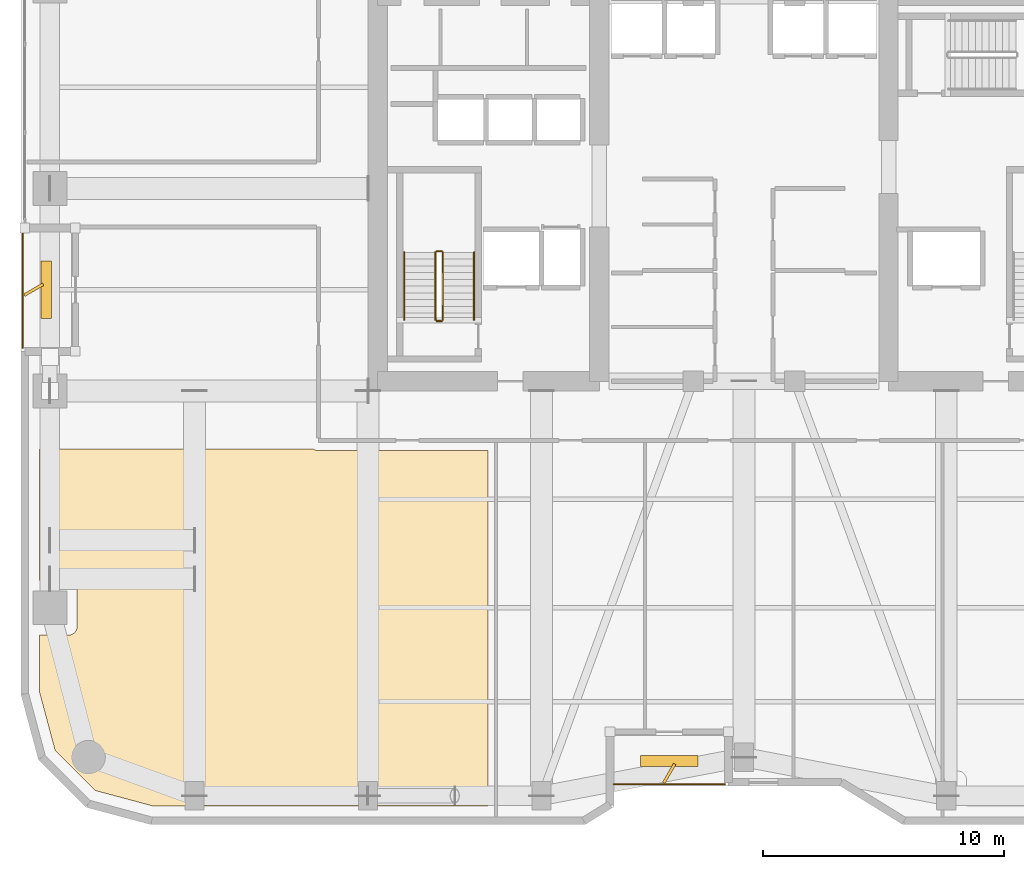
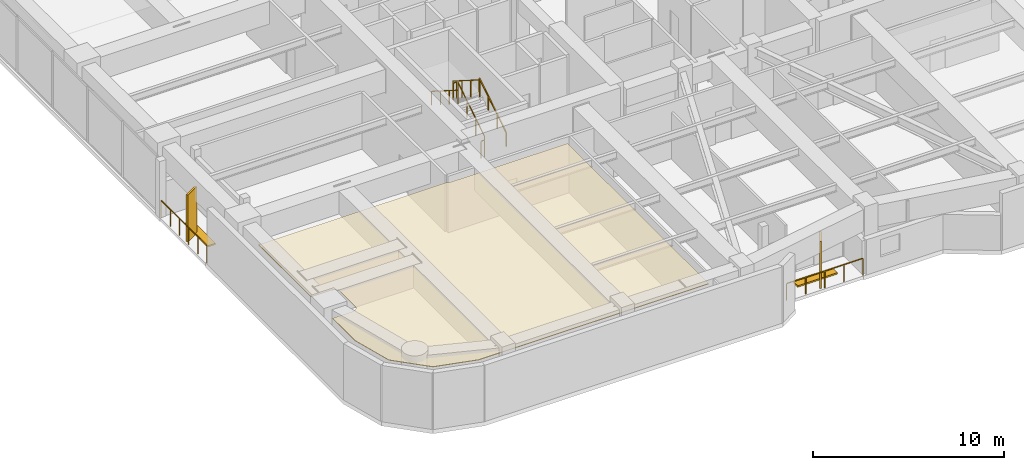
# One storey, part 23 of 25: 8 railings, 4 shading devices, 1 covering.
"""IFC4 building model written with IfcOpenShell, lengths in metres."""

from ifc_helpers import new_model, si_unit, direction, frame, origin, origin_2d, place, context, subcontext, project, spatial, polyline, rectangle, outline, extrude, material, layer, layer_set, type_object, element, save


model = new_model("IFC4")

# Units and contexts
model_context = context("Model", 3, precision=1e-05, world=origin(), true_north=direction((0.0, 1.0)))
body_context = subcontext(model_context, "Body", "Model", "MODEL_VIEW")
ifc_project = project(units=[si_unit("LENGTHUNIT", "METRE"), si_unit("AREAUNIT", "SQUARE_METRE"), si_unit("VOLUMEUNIT", "CUBIC_METRE"), si_unit("PLANEANGLEUNIT", "RADIAN"), si_unit("MASSUNIT", "GRAM", prefix="KILO")], contexts=[model_context])

# Site, building, storey
site_placement = place(None, origin())
site = spatial("IfcSite", under=ifc_project, at=site_placement, CompositionType="ELEMENT")
building_placement = place(site_placement, origin())
building = spatial("IfcBuilding", under=site, at=building_placement, Name="Kiyonajd Concourse Tower", CompositionType="ELEMENT")
storey_placement = place(building_placement, frame((0.0, 0.0, 141.60009765625)))
storey = spatial("IfcBuildingStorey", under=building, at=storey_placement, Name="L36", CompositionType="ELEMENT", Elevation=141.60009765625)

# Covering
ifc_material_1 = material(Name="Natural Oak Acoustic Timber Veneer", Category="wood")
ifc_layer = layer(ifc_material_1, 0.0400390625)
ifc_layer_set = layer_set([ifc_layer], Name="Natural Oak Acoustic Timber Veneer")
covering_type = type_object("IfcCoveringType", Name="CV-CLG-ACST", PredefinedType="CEILING", material=ifc_layer_set)
covering_placement = place(storey_placement, frame((0.0, 0.0, 3.419921875)))
element("IfcCovering", 1, at=covering_placement, inside=storey, type_object=covering_type, Name="L36-39 Room Acoustic Ceiling", PredefinedType="CEILING", context=body_context, shape_type="SweptSolid", body=[
    extrude(outline(polyline([(19.4140625, 12.697998046875), (18.77001953125, 15.10107421875), (18.77001953125, 17.469970703125), (20.013916015625, 17.471923828125), (20.08203125, 17.485107421875), (20.14501953125, 17.510986328125), (20.201904296875, 17.549072265625), (20.2509765625, 17.597900390625), (20.2890625, 17.655029296875), (20.31494140625, 17.718017578125), (20.330078125, 17.820068359375), (20.327880859375, 19.4140625), (20.31494140625, 19.48193359375), (20.2890625, 19.544921875), (20.22705078125, 19.626953125), (20.14501953125, 19.68896484375), (20.048095703125, 19.722900390625), (19.97998046875, 19.72998046875), (18.77001953125, 19.72998046875), (18.77001953125, 25.199951171875), (30.10205078125, 25.199951171875), (30.156982421875, 25.166015625), (30.219970703125, 25.139892578125), (30.35009765625, 25.1201171875), (37.3701171875, 25.1201171875), (37.3701171875, 10.3701171875), (23.5009765625, 10.3701171875), (21.097900390625, 11.013916015625), (19.4140625, 12.697998046875)])), origin(), (0.0, 0.0, 1.0), 0.0400390625),
])

# Railings
ifc_material_2 = material(Name="Thermally Broken Anodised Aluminium", Category="aluminium")
railing_type_1 = type_object("IfcRailingType", Name="RL-GRD-LOG", PredefinedType="GUARDRAIL", material=ifc_material_2)
railing_1_placement = place(storey_placement, frame((42.60009765625, 11.280029296875, 0.0)))
element("IfcRailing", 2, at=railing_1_placement, inside=storey, type_object=railing_type_1, Name="L36 Engawa Loggia Perimeter Guard LOG-S", PredefinedType="GUARDRAIL", context=body_context, shape_type="SweptSolid", body=[
    extrude(rectangle(XDim=0.048095703125, YDim=0.048095703125, at=origin_2d()), frame((0.0, 0.0, 1.076171875), z_axis=(1.0, 0.0, 0.0), x_axis=(0.0, 1.0, 0.0)), (0.0, 0.0, 1.0), 4.599853515625),
    extrude(rectangle(XDim=0.0419921875, YDim=0.0419921875, at=origin_2d()), origin(), (0.0, 0.0, 1.0), 1.052001953125),
    extrude(rectangle(XDim=0.0419921875, YDim=0.0419921875, at=origin_2d()), frame((1.14990234375, 0.0, 0.0)), (0.0, 0.0, 1.0), 1.052001953125),
    extrude(rectangle(XDim=0.0419921875, YDim=0.0419921875, at=origin_2d()), frame((2.2998046875, 0.0, 0.0)), (0.0, 0.0, 1.0), 1.052001953125),
    extrude(rectangle(XDim=0.0419921875, YDim=0.0419921875, at=origin_2d()), frame((3.449951171875, 0.0, 0.0)), (0.0, 0.0, 1.0), 1.052001953125),
    extrude(rectangle(XDim=0.0419921875, YDim=0.0419921875, at=origin_2d()), frame((4.599853515625, 0.0, 0.0)), (0.0, 0.0, 1.0), 1.052001953125),
])
railing_2_placement = place(storey_placement, frame((18.080078125, 34.199951171875, 0.0)))
element("IfcRailing", 3, at=railing_2_placement, inside=storey, type_object=railing_type_1, Name="L36 Engawa Loggia Perimeter Guard LOG-W", PredefinedType="GUARDRAIL", context=body_context, shape_type="SweptSolid", body=[
    extrude(rectangle(XDim=0.048095703125, YDim=0.048095703125, at=origin_2d()), frame((0.0, 0.0, 1.076171875), z_axis=(0.0, -1.0, 0.0), x_axis=(1.0, 0.0, 0.0)), (0.0, 0.0, 1.0), 4.800048828125),
    extrude(rectangle(XDim=0.0419921875, YDim=0.0419921875, at=origin_2d()), origin(), (0.0, 0.0, 1.0), 1.052001953125),
    extrude(rectangle(XDim=0.0419921875, YDim=0.0419921875, at=origin_2d()), frame((0.0, -0.9599609375, 0.0)), (0.0, 0.0, 1.0), 1.052001953125),
    extrude(rectangle(XDim=0.0419921875, YDim=0.0419921875, at=origin_2d()), frame((0.0, -1.919921875, 0.0)), (0.0, 0.0, 1.0), 1.052001953125),
    extrude(rectangle(XDim=0.0419921875, YDim=0.0419921875, at=origin_2d()), frame((0.0, -2.880126953125, 0.0)), (0.0, 0.0, 1.0), 1.052001953125),
    extrude(rectangle(XDim=0.0419921875, YDim=0.0419921875, at=origin_2d()), frame((0.0, -3.840087890625, 0.0)), (0.0, 0.0, 1.0), 1.052001953125),
    extrude(rectangle(XDim=0.0419921875, YDim=0.0419921875, at=origin_2d()), frame((0.0, -4.800048828125, 0.0)), (0.0, 0.0, 1.0), 1.052001953125),
])
ifc_material_3 = material(Name="Steel ASTM A500 Grade C", Category="steel")
railing_type_2 = type_object("IfcRailingType", Name="RL-GRD-STR", PredefinedType="GUARDRAIL", material=ifc_material_3)
railing_3_placement = place(storey_placement, frame((35.5, 30.550048828125, 0.17724609375)))
element("IfcRailing", 4, at=railing_3_placement, inside=storey, type_object=railing_type_2, Name="L36 ST1 stair guard 1", PredefinedType="GUARDRAIL", context=body_context, shape_type="SweptSolid", body=[
    extrude(rectangle(XDim=0.048095703125, YDim=0.048095703125, at=origin_2d()), frame((0.0, 0.0, 1.076171875), z_axis=(0.0, 0.844908973607, 0.534910110503), x_axis=(-1.0, 0.0, 0.0)), (0.0, 0.0, 1.0), 3.31396484375),
    extrude(rectangle(XDim=0.0419921875, YDim=0.0419921875, at=origin_2d()), origin(), (0.0, 0.0, 1.0), 1.052001953125),
    extrude(rectangle(XDim=0.0419921875, YDim=0.0419921875, at=origin_2d()), frame((0.0, 0.933349609375, 0.5908203125)), (0.0, 0.0, 1.0), 1.052001953125),
    extrude(rectangle(XDim=0.0419921875, YDim=0.0419921875, at=origin_2d()), frame((0.0, 1.86669921875, 1.181884765625)), (0.0, 0.0, 1.0), 1.052001953125),
    extrude(rectangle(XDim=0.0419921875, YDim=0.0419921875, at=origin_2d()), frame((0.0, 2.800048828125, 1.772705078125)), (0.0, 0.0, 1.0), 1.052001953125),
])
railing_4_placement = place(storey_placement, frame((35.449951171875, 33.39990234375, 1.949951171875)))
element("IfcRailing", 5, at=railing_4_placement, inside=storey, type_object=railing_type_2, Name="L36 ST1 stair guard 2", PredefinedType="GUARDRAIL", context=body_context, shape_type="SweptSolid", body=[
    extrude(rectangle(XDim=0.048095703125, YDim=0.048095703125, at=origin_2d()), frame((0.0, 0.0, 1.076171875), z_axis=(-1.0, 0.0, 0.0), x_axis=(0.0, -1.0, 0.0)), (0.0, 0.0, 1.0), 0.199951171875),
    extrude(rectangle(XDim=0.0419921875, YDim=0.0419921875, at=origin_2d()), origin(), (0.0, 0.0, 1.0), 1.052001953125),
    extrude(rectangle(XDim=0.0419921875, YDim=0.0419921875, at=origin_2d()), frame((-0.199951171875, 0.0, 0.0)), (0.0, 0.0, 1.0), 1.052001953125),
])
railing_5_placement = place(storey_placement, frame((35.199951171875, 33.35009765625, 2.127197265625)))
element("IfcRailing", 6, at=railing_5_placement, inside=storey, type_object=railing_type_2, Name="L36 ST1 stair guard 3", PredefinedType="GUARDRAIL", context=body_context, shape_type="SweptSolid", body=[
    extrude(rectangle(XDim=0.048095703125, YDim=0.048095703125, at=origin_2d()), frame((0.0, 0.0, 1.076171875), z_axis=(0.0, -0.844908973607, 0.534910110503), x_axis=(1.0, 0.0, 0.0)), (0.0, 0.0, 1.0), 3.31396484375),
    extrude(rectangle(XDim=0.0419921875, YDim=0.0419921875, at=origin_2d()), origin(), (0.0, 0.0, 1.0), 1.052001953125),
    extrude(rectangle(XDim=0.0419921875, YDim=0.0419921875, at=origin_2d()), frame((0.0, -0.933349609375, 0.5908203125)), (0.0, 0.0, 1.0), 1.052001953125),
    extrude(rectangle(XDim=0.0419921875, YDim=0.0419921875, at=origin_2d()), frame((0.0, -1.86669921875, 1.181884765625)), (0.0, 0.0, 1.0), 1.052001953125),
    extrude(rectangle(XDim=0.0419921875, YDim=0.0419921875, at=origin_2d()), frame((0.0, -2.800048828125, 1.772705078125)), (0.0, 0.0, 1.0), 1.052001953125),
])
railing_6_placement = place(storey_placement, frame((35.449951171875, 30.5, 0.0)))
element("IfcRailing", 7, at=railing_6_placement, inside=storey, type_object=railing_type_2, Name="L36 ST1 stair guard 4", PredefinedType="GUARDRAIL", context=body_context, shape_type="SweptSolid", body=[
    extrude(rectangle(XDim=0.048095703125, YDim=0.048095703125, at=origin_2d()), frame((0.0, 0.0, 1.076171875), z_axis=(-1.0, 0.0, 0.0), x_axis=(0.0, -1.0, 0.0)), (0.0, 0.0, 1.0), 0.199951171875),
    extrude(rectangle(XDim=0.0419921875, YDim=0.0419921875, at=origin_2d()), origin(), (0.0, 0.0, 1.0), 1.052001953125),
    extrude(rectangle(XDim=0.0419921875, YDim=0.0419921875, at=origin_2d()), frame((-0.199951171875, 0.0, 0.0)), (0.0, 0.0, 1.0), 1.052001953125),
])
ifc_material_4 = material(Name="Brushed Stainless Steel Cab Assembly", Category="steel")
railing_type_3 = type_object("IfcRailingType", Name="RL-HND-900", PredefinedType="HANDRAIL", material=ifc_material_4)
railing_7_placement = place(storey_placement, frame((36.800048828125, 30.550048828125, 0.17724609375)))
element("IfcRailing", 8, at=railing_7_placement, inside=storey, type_object=railing_type_3, Name="L36 ST1 stair handrail 1", PredefinedType="HANDRAIL", context=body_context, shape_type="SweptSolid", body=[
    extrude(rectangle(XDim=0.048095703125, YDim=0.048095703125, at=origin_2d()), frame((0.0, 0.0, 0.8759765625), z_axis=(0.0, 0.844908973607, 0.534910110503), x_axis=(-1.0, 0.0, 0.0)), (0.0, 0.0, 1.0), 3.31396484375),
    extrude(rectangle(XDim=0.0419921875, YDim=0.0419921875, at=origin_2d()), origin(), (0.0, 0.0, 1.0), 0.851806640625),
    extrude(rectangle(XDim=0.0419921875, YDim=0.0419921875, at=origin_2d()), frame((0.0, 0.933349609375, 0.5908203125)), (0.0, 0.0, 1.0), 0.851806640625),
    extrude(rectangle(XDim=0.0419921875, YDim=0.0419921875, at=origin_2d()), frame((0.0, 1.86669921875, 1.181884765625)), (0.0, 0.0, 1.0), 0.851806640625),
    extrude(rectangle(XDim=0.0419921875, YDim=0.0419921875, at=origin_2d()), frame((0.0, 2.800048828125, 1.772705078125)), (0.0, 0.0, 1.0), 0.851806640625),
])
railing_8_placement = place(storey_placement, frame((33.89990234375, 33.35009765625, 2.127197265625)))
element("IfcRailing", 9, at=railing_8_placement, inside=storey, type_object=railing_type_3, Name="L36 ST1 stair handrail 2", PredefinedType="HANDRAIL", context=body_context, shape_type="SweptSolid", body=[
    extrude(rectangle(XDim=0.048095703125, YDim=0.048095703125, at=origin_2d()), frame((0.0, 0.0, 0.8759765625), z_axis=(0.0, -0.844908973607, 0.534910110503), x_axis=(1.0, 0.0, 0.0)), (0.0, 0.0, 1.0), 3.31396484375),
    extrude(rectangle(XDim=0.0419921875, YDim=0.0419921875, at=origin_2d()), origin(), (0.0, 0.0, 1.0), 0.851806640625),
    extrude(rectangle(XDim=0.0419921875, YDim=0.0419921875, at=origin_2d()), frame((0.0, -0.933349609375, 0.5908203125)), (0.0, 0.0, 1.0), 0.851806640625),
    extrude(rectangle(XDim=0.0419921875, YDim=0.0419921875, at=origin_2d()), frame((0.0, -1.86669921875, 1.181884765625)), (0.0, 0.0, 1.0), 0.851806640625),
    extrude(rectangle(XDim=0.0419921875, YDim=0.0419921875, at=origin_2d()), frame((0.0, -2.800048828125, 1.772705078125)), (0.0, 0.0, 1.0), 0.851806640625),
])

# Shading devices
ifc_material_5 = material(Name="Precast concrete C50/60", Category="concrete")
shading_device_type_1 = type_object("IfcShadingDeviceType", Name="SH-FIN-900", PredefinedType="USERDEFINED", material=ifc_material_5)
for number, where, z_axis, x_axis, name in (
    (10, (44.89990234375, 11.72998046875, 0.0), (0.0, 0.0, 1.0), (0.5, 0.866025403784, 0.0), "L36 Angled Koshi Solar Fin LOG-S"),
    (11, (18.530029296875, 31.800048828125, 0.0), (0.0, 0.0, 1.0), (0.866025403784, 0.5, 0.0), "L36 Angled Koshi Solar Fin LOG-W"),
):
    element("IfcShadingDevice", number, at=place(storey_placement, frame(where, z_axis=z_axis, x_axis=x_axis)), inside=storey, type_object=shading_device_type_1, Name=name, ObjectType="FIN", PredefinedType="USERDEFINED", context=body_context, shape_type="SweptSolid", body=[
        extrude(rectangle(XDim=0.89990234375, YDim=0.1201171875, at=origin_2d()), origin(), (0.0, 0.0, 1.0), 3.0),
    ])
shading_device_type_2 = type_object("IfcShadingDeviceType", Name="SH-LVR-600", PredefinedType="JALOUSIE", material=ifc_material_2)
for number, where, z_axis, x_axis, name in (
    (12, (44.89990234375, 12.25, -0.000244140625), (0.0, 0.0, 1.0), (1.0, 0.0, 0.0), "L36 Loggia Threshold Louver LOG-S"),
    (13, (19.050048828125, 31.800048828125, -0.000244140625), (0.0, 0.0, 1.0), (0.0, 1.0, 0.0), "L36 Loggia Threshold Louver LOG-W"),
):
    element("IfcShadingDevice", number, at=place(storey_placement, frame(where, z_axis=z_axis, x_axis=x_axis)), inside=storey, type_object=shading_device_type_2, Name=name, PredefinedType="JALOUSIE", context=body_context, shape_type="SweptSolid", body=[
        extrude(rectangle(XDim=2.39990234375, YDim=0.449951171875, at=origin_2d()), origin(), (0.0, 0.0, 1.0), 0.10009765625),
    ])

save(model, "model.ifc")
